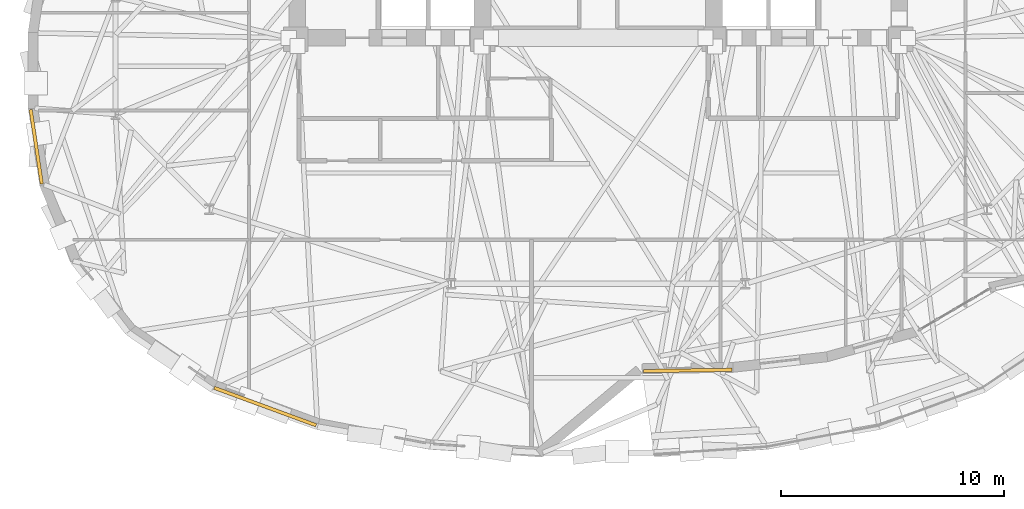
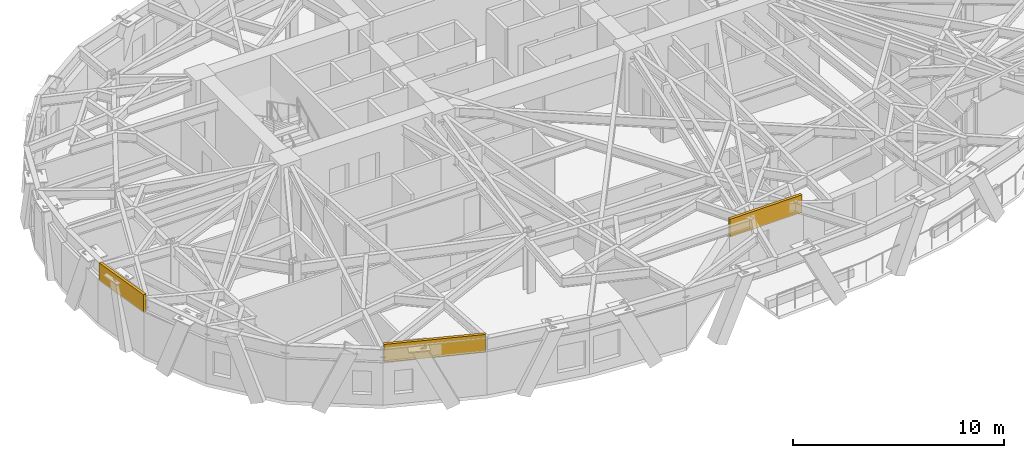
# One storey, part 11 of 14: 3 coverings.
"""IFC4 building model written with IfcOpenShell, lengths in metres."""

from ifc_helpers import new_model, si_unit, direction, frame, origin, origin_2d, place, context, subcontext, project, spatial, rectangle, extrude, material, layer, layer_set, type_object, element, save


model = new_model("IFC4")

# Units and contexts
model_context = context("Model", 3, precision=1e-05, world=origin(), true_north=direction((0.0, 1.0)))
body_context = subcontext(model_context, "Body", "Model", "MODEL_VIEW")
ifc_project = project(units=[si_unit("LENGTHUNIT", "METRE"), si_unit("AREAUNIT", "SQUARE_METRE"), si_unit("VOLUMEUNIT", "CUBIC_METRE"), si_unit("PLANEANGLEUNIT", "RADIAN"), si_unit("MASSUNIT", "GRAM", prefix="KILO")], contexts=[model_context])

# Site, building, storey
site_placement = place(None, origin())
site = spatial("IfcSite", under=ifc_project, at=site_placement, CompositionType="ELEMENT")
building_placement = place(site_placement, origin())
building = spatial("IfcBuilding", under=site, at=building_placement, Name="Keldmark Tower", CompositionType="ELEMENT")
storey_placement = place(building_placement, frame((0.0, 0.0, 128.10009765625)))
storey = spatial("IfcBuildingStorey", under=building, at=storey_placement, Name="L34", CompositionType="ELEMENT", Elevation=128.10009765625)

# Coverings
ifc_material = material(Name="Honed Kasota Buff Dolomitic Limestone", Category="masonry")
ifc_layer = layer(ifc_material, 0.074951171875)
ifc_layer_set = layer_set([ifc_layer], Name="Honed Kasota Buff Dolomitic Limestone")
covering_type = type_object("IfcCoveringType", Name="Kasota Buff Limestone Spandrel Cladding Band", PredefinedType="CLADDING", material=ifc_layer_set)
covering_1_placement = place(storey_placement, frame((-25.260009765625, -3.421630859375, 2.45166015625), z_axis=(0.0, 0.0, 1.0), x_axis=(0.147671317024, -0.989036491808, 0.0)))
element("IfcCovering", 1, at=covering_1_placement, inside=storey, type_object=covering_type, Name="L34 Kasota Limestone Spandrel Band 17", PredefinedType="CLADDING", context=body_context, shape_type="SweptSolid", body=[
    extrude(rectangle(XDim=3.37158203125, YDim=0.14990234375, at=origin_2d()), origin(), (0.0, 0.0, 1.0), 1.028076171875),
])
covering_2_placement = place(storey_placement, frame((-14.971923828125, -15.098388671875, 2.45166015625), z_axis=(0.0, 0.0, 1.0), x_axis=(0.938408622477, -0.345527505794, 0.0)))
element("IfcCovering", 2, at=covering_2_placement, inside=storey, type_object=covering_type, Name="L34 Kasota Limestone Spandrel Band 21", PredefinedType="CLADDING", context=body_context, shape_type="SweptSolid", body=[
    extrude(rectangle(XDim=4.878173828125, YDim=0.14990234375, at=origin_2d()), origin(), (0.0, 0.0, 1.0), 1.028076171875),
])
covering_3_placement = place(storey_placement, frame((4.02001953125, -13.4755859375, 2.45166015625), z_axis=(0.0, 0.0, 1.0), x_axis=(0.99990007192, 0.014136696038, 0.0)))
element("IfcCovering", 3, at=covering_3_placement, inside=storey, type_object=covering_type, Name="L34 Kasota Limestone Spandrel Band 25", PredefinedType="CLADDING", context=body_context, shape_type="SweptSolid", body=[
    extrude(rectangle(XDim=3.968017578125, YDim=0.14990234375, at=origin_2d()), origin(), (0.0, 0.0, 1.0), 1.028076171875),
])

save(model, "model.ifc")
